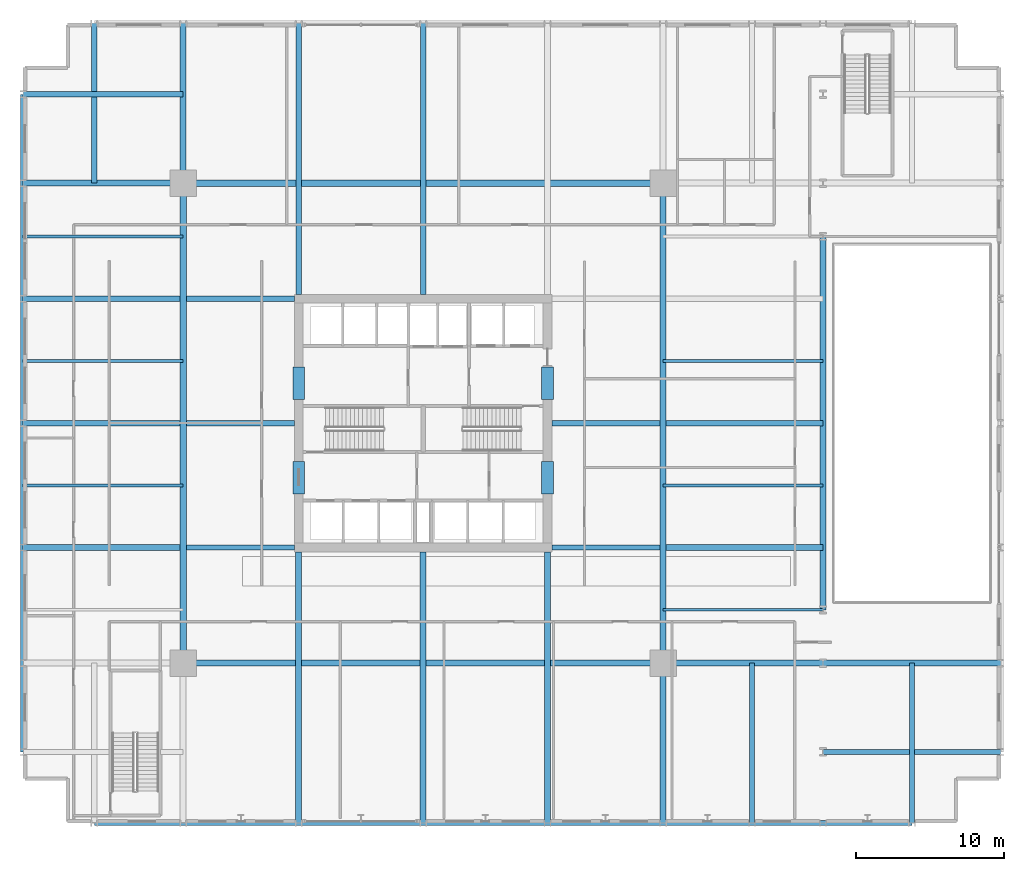
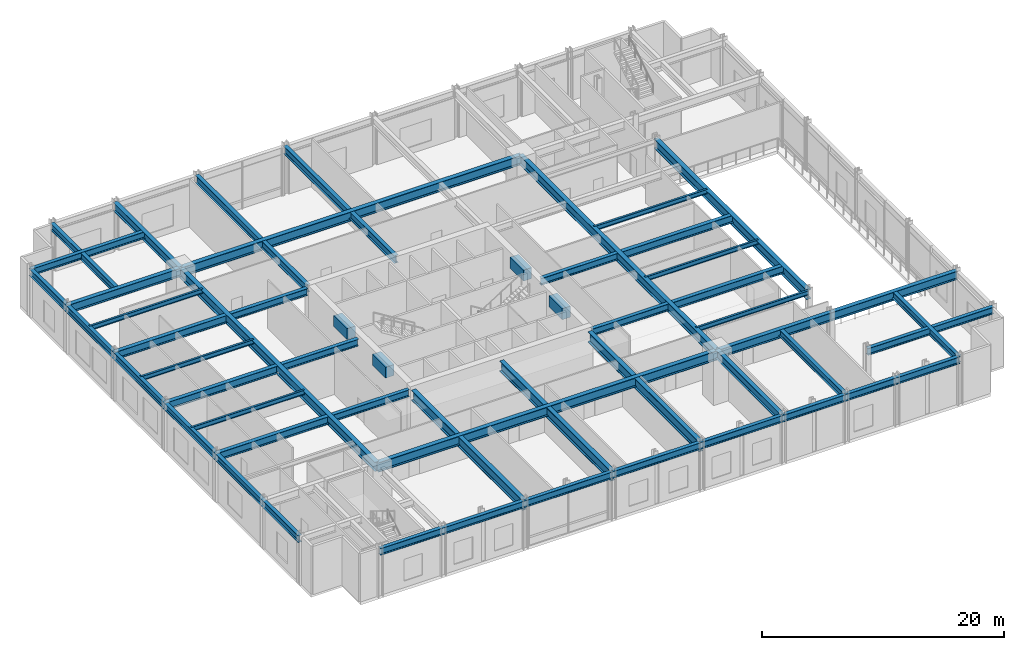
# One storey, part 4 of 21: 42 beams.
"""IFC4 building model written with IfcOpenShell, lengths in metres."""

from ifc_helpers import new_model, si_unit, direction, frame, origin, origin_2d, place, context, subcontext, project, spatial, rectangle, i_section, extrude, material, material_profile, profile_set, type_object, element, save


model = new_model("IFC4")

# Units and contexts
model_context = context("Model", 3, precision=1e-05, world=origin(), true_north=direction((0.0, 1.0)))
body_context = subcontext(model_context, "Body", "Model", "MODEL_VIEW")
ifc_project = project(units=[si_unit("LENGTHUNIT", "METRE"), si_unit("AREAUNIT", "SQUARE_METRE"), si_unit("VOLUMEUNIT", "CUBIC_METRE"), si_unit("PLANEANGLEUNIT", "RADIAN"), si_unit("MASSUNIT", "GRAM", prefix="KILO")], contexts=[model_context])

# Site, building, storey
site_placement = place(None, origin())
site = spatial("IfcSite", under=ifc_project, at=site_placement, CompositionType="ELEMENT")
building_placement = place(site_placement, origin())
building = spatial("IfcBuilding", under=site, at=building_placement, Name="Drelvath Grand Hotel", CompositionType="ELEMENT")
storey_placement = place(building_placement, frame((0.0, 0.0, 22.39990234375)))
storey = spatial("IfcBuildingStorey", under=building, at=storey_placement, Name="L04", CompositionType="ELEMENT", Elevation=22.39990234375)

# Beams
ifc_material_1 = material(Name="Steel ASTM A992 Gr 50", Category="steel")
ifc_material_profile_1 = material_profile(ifc_material_1, i_section(OverallWidth=0.19140625, OverallDepth=0.4599609375, WebThickness=0.010009765625, FlangeThickness=0.01611328125, FilletRadius=0.01611328125, at=origin_2d()), Name="W18X55")
ifc_profile_set_1 = profile_set([ifc_material_profile_1], Name="Steel ASTM A992 Gr 50")
beam_type_1 = type_object("IfcBeamType", Name="Composite Floor Joist W18X55", PredefinedType="JOIST", material=ifc_profile_set_1)
for number, where, z_axis, x_axis, name in (
    (1, (-27.0, 22.800048828125, 4.6201171875), (1.0, 0.0, 0.0), (0.0, 1.0, 0.0), "L04 West Composite Joist J1"),
    (2, (16.199951171875, 22.800048828125, 4.6201171875), (1.0, 0.0, 0.0), (0.0, 1.0, 0.0), "L04 East Composite Joist J1"),
    (3, (-27.0, 31.199951171875, 4.6201171875), (1.0, 0.0, 0.0), (0.0, 1.0, 0.0), "L04 West Composite Joist J2"),
    (4, (16.199951171875, 31.199951171875, 4.6201171875), (1.0, 0.0, 0.0), (0.0, 1.0, 0.0), "L04 East Composite Joist J2"),
    (5, (16.199951171875, 14.39990234375, 4.6201171875), (1.0, 0.0, 0.0), (0.0, 1.0, 0.0), "L04 East Composite Joist J3"),
    (6, (-27.0, 39.60009765625, 4.6201171875), (1.0, 0.0, 0.0), (0.0, 1.0, 0.0), "L04 West Composite Joist J4"),
):
    element("IfcBeam", number, at=place(storey_placement, frame(where, z_axis=z_axis, x_axis=x_axis)), inside=storey, type_object=beam_type_1, Name=name, PredefinedType="JOIST", context=body_context, shape_type="SweptSolid", body=[
        extrude(i_section(OverallWidth=0.19140625, OverallDepth=0.4599609375, WebThickness=0.010009765625, FlangeThickness=0.01611328125, FilletRadius=0.01611328125, at=origin_2d()), origin(), (0.0, 0.0, 1.0), 10.800048828125),
    ])
ifc_material_2 = material(Name="Concrete f'c 70 MPa", Category="concrete")
ifc_material_profile_2 = material_profile(ifc_material_2, rectangle(XDim=0.800048828125, YDim=1.10009765625, at=origin_2d()), Name="CB800X1100")
ifc_profile_set_2 = profile_set([ifc_material_profile_2], Name="Concrete f'c 70 MPa")
beam_type_2 = type_object("IfcBeamType", Name="Core Coupling Lintel CB800X1100", PredefinedType="LINTEL", material=ifc_profile_set_2)
for number, where, z_axis, x_axis, name in (
    (7, (-8.39990234375, 22.199951171875, 4.300048828125), (0.0, 1.0, 0.0), (-1.0, 0.0, 0.0), "L04 Core Coupling Lintel WS"),
    (8, (-8.39990234375, 28.60009765625, 4.300048828125), (0.0, 1.0, 0.0), (-1.0, 0.0, 0.0), "L04 Core Coupling Lintel WN"),
    (9, (8.39990234375, 22.199951171875, 4.300048828125), (0.0, 1.0, 0.0), (-1.0, 0.0, 0.0), "L04 Core Coupling Lintel ES"),
    (10, (8.39990234375, 28.60009765625, 4.300048828125), (0.0, 1.0, 0.0), (-1.0, 0.0, 0.0), "L04 Core Coupling Lintel EN"),
):
    element("IfcBeam", number, at=place(storey_placement, frame(where, z_axis=z_axis, x_axis=x_axis)), inside=storey, type_object=beam_type_2, Name=name, PredefinedType="LINTEL", context=body_context, shape_type="SweptSolid", body=[
        extrude(rectangle(XDim=0.800048828125, YDim=1.10009765625, at=origin_2d()), origin(), (0.0, 0.0, 1.0), 2.199951171875),
    ])
ifc_material_profile_3 = material_profile(ifc_material_1, i_section(OverallWidth=0.354736328125, OverallDepth=0.695556640625, WebThickness=0.015380859375, FlangeThickness=0.025146484375, FilletRadius=0.02392578125, at=origin_2d()), Name="W27X146")
ifc_profile_set_3 = profile_set([ifc_material_profile_3], Name="Steel ASTM A992 Gr 50")
beam_type_3 = type_object("IfcBeamType", Name="Perimeter Spandrel Beam W27X146", PredefinedType="SPANDREL", material=ifc_profile_set_3)
beam_1_placement = place(storey_placement, frame((-27.0, 4.800048828125, 4.502197265625), z_axis=(0.0, 1.0, 0.0), x_axis=(-1.0, 0.0, 0.0)))
element("IfcBeam", 11, at=beam_1_placement, inside=storey, type_object=beam_type_3, Name="L04 Podium Perimeter Spandrel SPW1", PredefinedType="SPANDREL", context=body_context, shape_type="SweptSolid", body=[
    extrude(i_section(OverallWidth=0.354736328125, OverallDepth=0.695556640625, WebThickness=0.015380859375, FlangeThickness=0.025146484375, FilletRadius=0.02392578125, at=origin_2d()), origin(), (0.0, 0.0, 1.0), 44.39990234375),
])
beam_2_placement = place(storey_placement, frame((-22.199951171875, 0.0, 4.502197265625), z_axis=(1.0, 0.0, 0.0), x_axis=(0.0, 1.0, 0.0)))
element("IfcBeam", 12, at=beam_2_placement, inside=storey, type_object=beam_type_3, Name="L04 Podium Perimeter Spandrel SPS1", PredefinedType="SPANDREL", context=body_context, shape_type="SweptSolid", body=[
    extrude(i_section(OverallWidth=0.354736328125, OverallDepth=0.695556640625, WebThickness=0.015380859375, FlangeThickness=0.025146484375, FilletRadius=0.02392578125, at=origin_2d()), origin(), (0.0, 0.0, 1.0), 55.199951171875),
])
ifc_material_profile_4 = material_profile(ifc_material_1, i_section(OverallWidth=0.354736328125, OverallDepth=0.695556640625, WebThickness=0.015380859375, FlangeThickness=0.025146484375, FilletRadius=0.02392578125, at=origin_2d()), Name="W27X146")
ifc_profile_set_4 = profile_set([ifc_material_profile_4], Name="Steel ASTM A992 Gr 50")
beam_type_4 = type_object("IfcBeamType", Name="Primary Floor Girder W27X146", PredefinedType="BEAM", material=ifc_profile_set_4)
for number, where, z_axis, x_axis, name in (
    (13, (-15.988525390625, 18.60009765625, 4.502197265625), (1.0, 0.0, 0.0), (0.0, 1.0, 0.0), "L04 West Core Girder D"),
    (14, (8.699951171875, 18.60009765625, 4.502197265625), (1.0, 0.0, 0.0), (0.0, 1.0, 0.0), "L04 East Core Girder D"),
    (15, (-15.988525390625, 27.0, 4.502197265625), (1.0, 0.0, 0.0), (0.0, 1.0, 0.0), "L04 West Core Girder E"),
    (16, (8.699951171875, 27.0, 4.502197265625), (1.0, 0.0, 0.0), (0.0, 1.0, 0.0), "L04 East Core Girder E"),
    (17, (-15.988525390625, 35.39990234375, 4.502197265625), (1.0, 0.0, 0.0), (0.0, 1.0, 0.0), "L04 West Core Girder F"),
):
    element("IfcBeam", number, at=place(storey_placement, frame(where, z_axis=z_axis, x_axis=x_axis)), inside=storey, type_object=beam_type_4, Name=name, PredefinedType="BEAM", context=body_context, shape_type="SweptSolid", body=[
        extrude(i_section(OverallWidth=0.354736328125, OverallDepth=0.695556640625, WebThickness=0.015380859375, FlangeThickness=0.025146484375, FilletRadius=0.02392578125, at=origin_2d()), origin(), (0.0, 0.0, 1.0), 7.28857421875),
    ])
beam_3_placement = place(storey_placement, frame((27.0, 4.800048828125, 4.502197265625), z_axis=(1.0, 0.0, 0.0), x_axis=(0.0, 1.0, 0.0)))
element("IfcBeam", 18, at=beam_3_placement, inside=storey, type_object=beam_type_4, Name="L04 East Corner Tie B", PredefinedType="BEAM", context=body_context, shape_type="SweptSolid", body=[
    extrude(i_section(OverallWidth=0.354736328125, OverallDepth=0.695556640625, WebThickness=0.015380859375, FlangeThickness=0.025146484375, FilletRadius=0.02392578125, at=origin_2d()), origin(), (0.0, 0.0, 1.0), 12.0),
])
for number, where, z_axis, x_axis, name in (
    (19, (-27.0, 49.199951171875, 4.502197265625), (1.0, 0.0, 0.0), (0.0, 1.0, 0.0), "L04 West Corner Tie H"),
    (20, (-22.199951171875, 43.199951171875, 4.502197265625), (0.0, 1.0, 0.0), (-1.0, 0.0, 0.0), "L04 North Corner Tie 2"),
    (21, (22.199951171875, 0.0, 4.502197265625), (0.0, 1.0, 0.0), (-1.0, 0.0, 0.0), "L04 South Corner Tie 8"),
    (22, (33.0, 0.0, 4.502197265625), (0.0, 1.0, 0.0), (-1.0, 0.0, 0.0), "L04 South Corner Tie 10"),
):
    element("IfcBeam", number, at=place(storey_placement, frame(where, z_axis=z_axis, x_axis=x_axis)), inside=storey, type_object=beam_type_4, Name=name, PredefinedType="BEAM", context=body_context, shape_type="SweptSolid", body=[
        extrude(i_section(OverallWidth=0.354736328125, OverallDepth=0.695556640625, WebThickness=0.015380859375, FlangeThickness=0.025146484375, FilletRadius=0.02392578125, at=origin_2d()), origin(), (0.0, 0.0, 1.0), 10.800048828125),
    ])
ifc_material_profile_5 = material_profile(ifc_material_1, i_section(OverallWidth=0.380615234375, OverallDepth=0.773193359375, WebThickness=0.0166015625, FlangeThickness=0.027099609375, FilletRadius=0.02490234375, at=origin_2d()), Name="W30X173")
ifc_profile_set_5 = profile_set([ifc_material_profile_5], Name="Steel ASTM A992 Gr 50")
beam_type_5 = type_object("IfcBeamType", Name="Primary Floor Girder W30X173", PredefinedType="BEAM", material=ifc_profile_set_5)
for number, where, z_axis, x_axis, name in (
    (23, (-8.39990234375, 35.699951171875, 4.46337890625), (0.0, 1.0, 0.0), (-1.0, 0.0, 0.0), "L04 North Span Girder Grid 4"),
    (24, (0.0, 35.699951171875, 4.46337890625), (0.0, 1.0, 0.0), (-1.0, 0.0, 0.0), "L04 North Span Girder Grid 5"),
):
    element("IfcBeam", number, at=place(storey_placement, frame(where, z_axis=z_axis, x_axis=x_axis)), inside=storey, type_object=beam_type_5, Name=name, PredefinedType="BEAM", context=body_context, shape_type="SweptSolid", body=[
        extrude(i_section(OverallWidth=0.380615234375, OverallDepth=0.773193359375, WebThickness=0.0166015625, FlangeThickness=0.027099609375, FilletRadius=0.02490234375, at=origin_2d()), origin(), (0.0, 0.0, 1.0), 18.300048828125),
    ])
for number, where, z_axis, x_axis, name in (
    (25, (-27.0, 18.60009765625, 4.46337890625), (1.0, 0.0, 0.0), (0.0, 1.0, 0.0), "L04 West Bay Girder D"),
    (26, (16.41162109375, 18.60009765625, 4.46337890625), (1.0, 0.0, 0.0), (0.0, 1.0, 0.0), "L04 East Bay Girder D"),
    (27, (-27.0, 27.0, 4.46337890625), (1.0, 0.0, 0.0), (0.0, 1.0, 0.0), "L04 West Bay Girder E"),
    (28, (16.41162109375, 27.0, 4.46337890625), (1.0, 0.0, 0.0), (0.0, 1.0, 0.0), "L04 East Bay Girder E"),
    (29, (-27.0, 35.39990234375, 4.46337890625), (1.0, 0.0, 0.0), (0.0, 1.0, 0.0), "L04 West Bay Girder F"),
):
    element("IfcBeam", number, at=place(storey_placement, frame(where, z_axis=z_axis, x_axis=x_axis)), inside=storey, type_object=beam_type_5, Name=name, PredefinedType="BEAM", context=body_context, shape_type="SweptSolid", body=[
        extrude(i_section(OverallWidth=0.380615234375, OverallDepth=0.773193359375, WebThickness=0.0166015625, FlangeThickness=0.027099609375, FilletRadius=0.02490234375, at=origin_2d()), origin(), (0.0, 0.0, 1.0), 10.58837890625),
    ])
ifc_material_profile_6 = material_profile(ifc_material_1, i_section(OverallWidth=0.39990234375, OverallDepth=0.85546875, WebThickness=0.018310546875, FlangeThickness=0.029296875, FilletRadius=0.02490234375, at=origin_2d()), Name="W33X201")
ifc_profile_set_6 = profile_set([ifc_material_profile_6], Name="Steel ASTM A992 Gr 50")
beam_type_6 = type_object("IfcBeamType", Name="Primary Floor Girder W33X201", PredefinedType="BEAM", material=ifc_profile_set_6)
beam_4_placement = place(storey_placement, frame((16.199951171875, 10.800048828125, 4.42236328125), z_axis=(1.0, 0.0, 0.0), x_axis=(0.0, 1.0, 0.0)))
element("IfcBeam", 30, at=beam_4_placement, inside=storey, type_object=beam_type_6, Name="L04 East Podium Girder 1 C", PredefinedType="BEAM", context=body_context, shape_type="SweptSolid", body=[
    extrude(i_section(OverallWidth=0.39990234375, OverallDepth=0.85546875, WebThickness=0.018310546875, FlangeThickness=0.029296875, FilletRadius=0.02490234375, at=origin_2d()), origin(), (0.0, 0.0, 1.0), 10.800048828125),
])
beam_5_placement = place(storey_placement, frame((27.0, 10.800048828125, 4.42236328125), z_axis=(1.0, 0.0, 0.0), x_axis=(0.0, 1.0, 0.0)))
element("IfcBeam", 31, at=beam_5_placement, inside=storey, type_object=beam_type_6, Name="L04 East Podium Girder 2 C", PredefinedType="BEAM", context=body_context, shape_type="SweptSolid", body=[
    extrude(i_section(OverallWidth=0.39990234375, OverallDepth=0.85546875, WebThickness=0.018310546875, FlangeThickness=0.029296875, FilletRadius=0.02490234375, at=origin_2d()), origin(), (0.0, 0.0, 1.0), 12.0),
])
for number, where, z_axis, x_axis, name in (
    (32, (-27.0, 43.199951171875, 4.42236328125), (1.0, 0.0, 0.0), (0.0, 1.0, 0.0), "L04 West Podium Girder G"),
    (33, (-16.199951171875, 43.199951171875, 4.42236328125), (0.0, 1.0, 0.0), (-1.0, 0.0, 0.0), "L04 North Podium Girder 3"),
    (34, (16.199951171875, 0.0, 4.42236328125), (0.0, 1.0, 0.0), (-1.0, 0.0, 0.0), "L04 South Podium Girder 7"),
):
    element("IfcBeam", number, at=place(storey_placement, frame(where, z_axis=z_axis, x_axis=x_axis)), inside=storey, type_object=beam_type_6, Name=name, PredefinedType="BEAM", context=body_context, shape_type="SweptSolid", body=[
        extrude(i_section(OverallWidth=0.39990234375, OverallDepth=0.85546875, WebThickness=0.018310546875, FlangeThickness=0.029296875, FilletRadius=0.02490234375, at=origin_2d()), origin(), (0.0, 0.0, 1.0), 10.800048828125),
    ])
ifc_material_profile_7 = material_profile(ifc_material_1, i_section(OverallWidth=0.423095703125, OverallDepth=0.9482421875, WebThickness=0.02392578125, FlangeThickness=0.042724609375, FilletRadius=0.028076171875, at=origin_2d()), Name="W36X302")
ifc_profile_set_7 = profile_set([ifc_material_profile_7], Name="Steel ASTM A992 Gr 50")
beam_type_7 = type_object("IfcBeamType", Name="Primary Floor Girder W36X302", PredefinedType="BEAM", material=ifc_profile_set_7)
for number, where, z_axis, x_axis, name in (
    (35, (-16.199951171875, 10.800048828125, 4.3759765625), (1.0, 0.0, 0.0), (0.0, 1.0, 0.0), "L04 Mega Frame Girder South"),
    (36, (-16.199951171875, 43.199951171875, 4.3759765625), (1.0, 0.0, 0.0), (0.0, 1.0, 0.0), "L04 Mega Frame Girder North"),
    (37, (-16.199951171875, 10.800048828125, 4.3759765625), (0.0, 1.0, 0.0), (-1.0, 0.0, 0.0), "L04 Mega Frame Girder West"),
    (38, (16.199951171875, 10.800048828125, 4.3759765625), (0.0, 1.0, 0.0), (-1.0, 0.0, 0.0), "L04 Mega Frame Girder East"),
):
    element("IfcBeam", number, at=place(storey_placement, frame(where, z_axis=z_axis, x_axis=x_axis)), inside=storey, type_object=beam_type_7, Name=name, PredefinedType="BEAM", context=body_context, shape_type="SweptSolid", body=[
        extrude(i_section(OverallWidth=0.423095703125, OverallDepth=0.9482421875, WebThickness=0.02392578125, FlangeThickness=0.042724609375, FilletRadius=0.028076171875, at=origin_2d()), origin(), (0.0, 0.0, 1.0), 32.39990234375),
    ])
beam_6_placement = place(storey_placement, frame((27.0, 14.39990234375, 4.3759765625), z_axis=(0.0, 1.0, 0.0), x_axis=(-1.0, 0.0, 0.0)))
element("IfcBeam", 39, at=beam_6_placement, inside=storey, type_object=beam_type_7, Name="L04 Atrium Edge Girder Grid 9", PredefinedType="BEAM", context=body_context, shape_type="SweptSolid", body=[
    extrude(i_section(OverallWidth=0.423095703125, OverallDepth=0.9482421875, WebThickness=0.02392578125, FlangeThickness=0.042724609375, FilletRadius=0.028076171875, at=origin_2d()), origin(), (0.0, 0.0, 1.0), 25.2001953125),
])
ifc_material_profile_8 = material_profile(ifc_material_1, i_section(OverallWidth=0.40966796875, OverallDepth=1.037353515625, WebThickness=0.031005859375, FlangeThickness=0.055908203125, FilletRadius=0.030029296875, at=origin_2d()), Name="W40X397")
ifc_profile_set_8 = profile_set([ifc_material_profile_8], Name="Steel ASTM A992 Gr 50")
beam_type_8 = type_object("IfcBeamType", Name="Primary Floor Girder W40X397", PredefinedType="BEAM", material=ifc_profile_set_8)
for number, where, z_axis, x_axis, name in (
    (40, (-8.39990234375, 0.0, 4.331298828125), (0.0, 1.0, 0.0), (-1.0, 0.0, 0.0), "L04 South Span Girder Grid 4"),
    (41, (0.0, 0.0, 4.331298828125), (0.0, 1.0, 0.0), (-1.0, 0.0, 0.0), "L04 South Span Girder Grid 5"),
    (42, (8.39990234375, 0.0, 4.331298828125), (0.0, 1.0, 0.0), (-1.0, 0.0, 0.0), "L04 South Span Girder Grid 6"),
):
    element("IfcBeam", number, at=place(storey_placement, frame(where, z_axis=z_axis, x_axis=x_axis)), inside=storey, type_object=beam_type_8, Name=name, PredefinedType="BEAM", context=body_context, shape_type="SweptSolid", body=[
        extrude(i_section(OverallWidth=0.40966796875, OverallDepth=1.037353515625, WebThickness=0.031005859375, FlangeThickness=0.055908203125, FilletRadius=0.030029296875, at=origin_2d()), origin(), (0.0, 0.0, 1.0), 18.300048828125),
    ])

save(model, "model.ifc")
